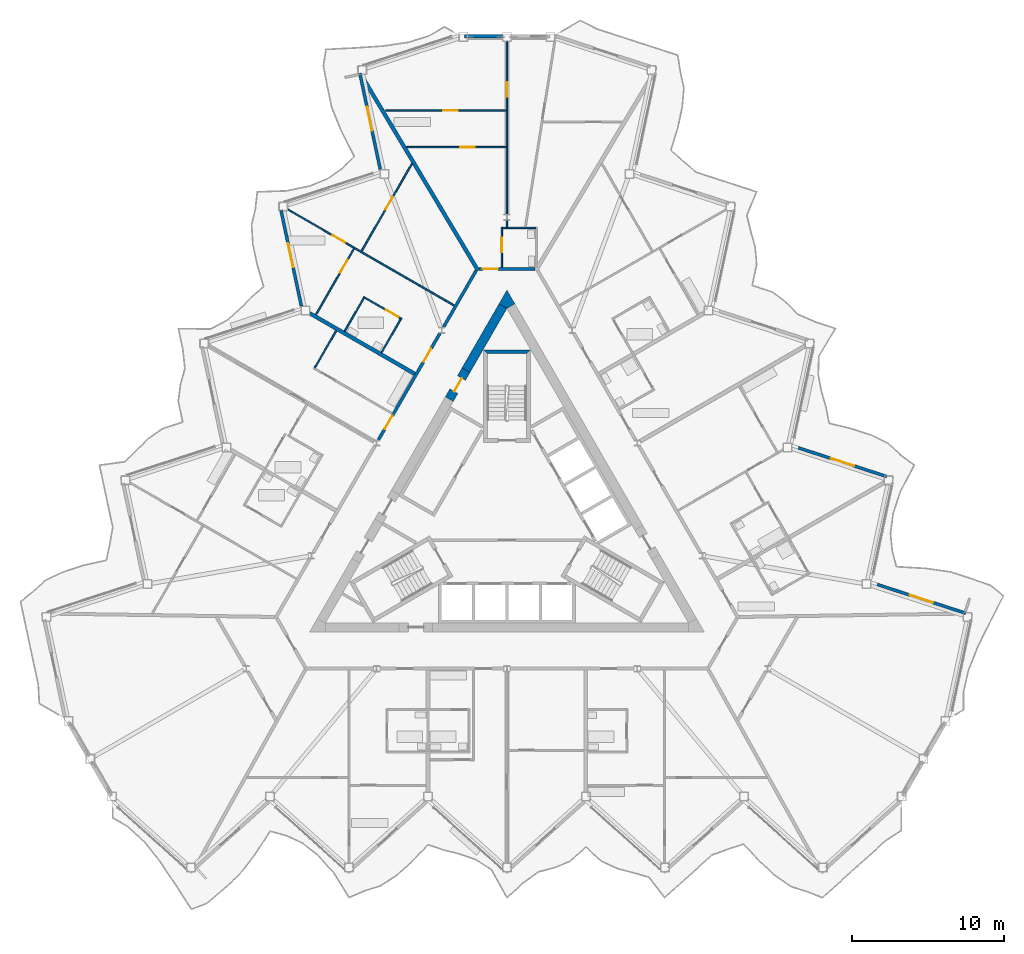
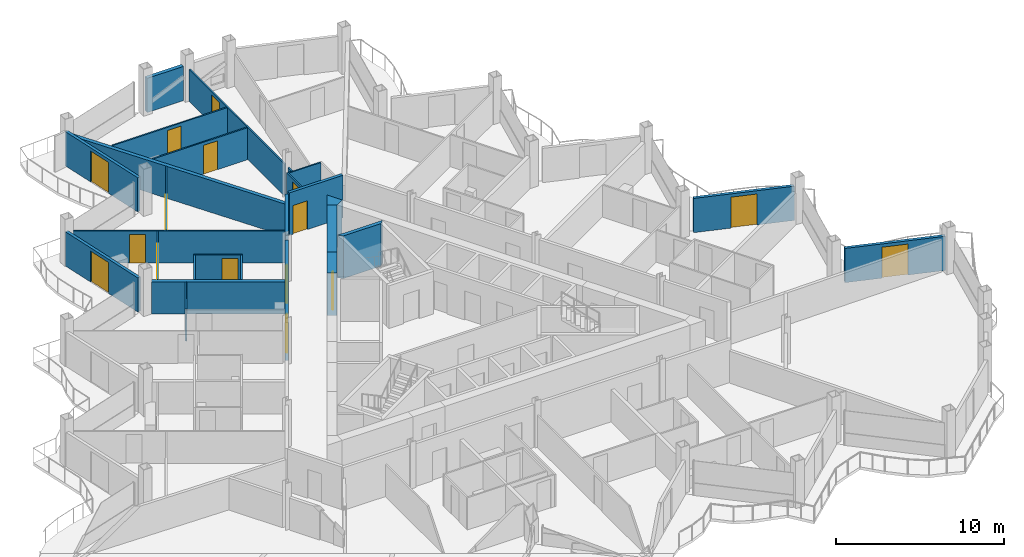
# One storey, part 17 of 26: 27 walls, 16 doors, 16 openings.
"""IFC4 building model written with IfcOpenShell, lengths in metres."""

from ifc_helpers import new_model, si_unit, direction, frame, frame_2d, origin, place, context, subcontext, project, spatial, polyline, rectangle, outline, extrude, material, layer, layer_set, type_object, element, fill, save


model = new_model("IFC4")

# Units and contexts
model_context = context("Model", 3, precision=1e-05, world=origin(), true_north=direction((0.0, 1.0)))
body_context = subcontext(model_context, "Body", "Model", "MODEL_VIEW")
ifc_project = project(units=[si_unit("LENGTHUNIT", "METRE"), si_unit("AREAUNIT", "SQUARE_METRE"), si_unit("VOLUMEUNIT", "CUBIC_METRE"), si_unit("PLANEANGLEUNIT", "RADIAN"), si_unit("MASSUNIT", "GRAM", prefix="KILO")], contexts=[model_context])

# Site, building, storey
site_placement = place(None, origin())
site = spatial("IfcSite", under=ifc_project, at=site_placement, CompositionType="ELEMENT")
building_placement = place(site_placement, origin())
building = spatial("IfcBuilding", under=site, at=building_placement, Name="Cormorant Prow Tower", CompositionType="ELEMENT")
storey_placement = place(building_placement, frame((0.0, 0.0, 329.0)))
storey = spatial("IfcBuildingStorey", under=building, at=storey_placement, Name="L73", CompositionType="ELEMENT", Elevation=329.0)

# Walls
ifc_material_1 = material(Name="Concrete 8000 psi", Category="concrete")
ifc_layer_1 = layer(ifc_material_1, 0.60009765625)
ifc_layer_set_1 = layer_set([ifc_layer_1], Name="Concrete 8000 psi")
wall_type_1 = type_object("IfcWallType", Name="Core shear wall 600", PredefinedType="SHEAR", material=ifc_layer_set_1)
wall_1_placement = place(storey_placement, frame((-0.259765625, 13.961181640625, 0.0), z_axis=(0.0, 0.0, 1.0), x_axis=(-0.50000604952, -0.866021911064, 0.0)))
element("IfcWall", 1, at=wall_1_placement, inside=storey, type_object=wall_type_1, Name="Core wall", PredefinedType="SHEAR", context=body_context, shape_type="SweptSolid", body=[
    extrude(rectangle(XDim=4.86865234375, YDim=0.60009765625, at=frame_2d((2.434326171875, 0.0))), origin(), (0.0, 0.0, 1.0), 3.10009765625),
])
wall_2_placement = place(storey_placement, origin())
element("IfcWall", 2, at=wall_2_placement, inside=storey, type_object=wall_type_1, Name="Core wall corner", PredefinedType="SHEAR", context=body_context, shape_type="SweptSolid", body=[
    extrude(outline(polyline([(-0.51953125, 14.111083984375), (0.0, 15.010986328125), (0.51953125, 14.111083984375), (0.0, 13.81103515625), (-0.51953125, 14.111083984375)])), origin(), (0.0, 0.0, 1.0), 3.10009765625),
])

# Wall, opening, door
wall_3_placement = place(storey_placement, frame((-2.694091796875, 9.744873046875, 0.0), z_axis=(0.0, 0.0, 1.0), x_axis=(-0.50002983664, -0.866008176907, 0.0)))
wall_3 = element("IfcWall", 3, at=wall_3_placement, inside=storey, type_object=wall_type_1, Name="Core wall door panel", PredefinedType="SHEAR", context=body_context, shape_type="SweptSolid", body=[
    extrude(rectangle(XDim=2.199951171875, YDim=0.60009765625, at=frame_2d((1.10009765625, 0.0))), origin(), (0.0, 0.0, 1.0), 3.10009765625),
])
opening_1_placement = place(wall_3_placement, frame((0.60009765625, 0.0, 0.0)))
opening_1 = element("IfcOpeningElement", 4, at=opening_1_placement, cuts=wall_3, Name="Opening L73-C17", PredefinedType="OPENING", context=body_context, shape_type="SweptSolid", body=[
    extrude(rectangle(XDim=1.0, YDim=2.10009765625, at=frame_2d((0.5, 1.050048828125))), frame((0.0, 0.31005859375, 0.0), z_axis=(0.0, -1.0, 0.0), x_axis=(1.0, 0.0, 0.0)), (0.0, 0.0, 1.0), 0.6201171875),
])
ifc_material_2 = material(Name="Painted steel", Category="steel")
door_type_1 = type_object("IfcDoorType", Name="Service door 1000x2100", OperationType="NOTDEFINED", PredefinedType="DOOR", material=ifc_material_2)
door_1_placement = place(opening_1_placement, origin())
door_1 = element("IfcDoor", 5, at=door_1_placement, inside=storey, type_object=door_type_1, Name="Core door, Refuse store", OperationType="SINGLE_SWING_LEFT", OverallHeight=2.10009765625, OverallWidth=1.0, PredefinedType="DOOR", context=body_context, shape_type="SweptSolid", body=[
    extrude(rectangle(XDim=1.0, YDim=2.10009765625, at=frame_2d((0.5, 1.050048828125))), frame((0.0, 0.05517578125, 0.0), z_axis=(0.0, -1.0, 0.0), x_axis=(1.0, 0.0, 0.0)), (0.0, 0.0, 1.0), 0.050048828125),
])
fill(opening_1, door_1)

# Wall, openings, doors
ifc_material_3 = material(Name="Gypsum board corridor wall")
ifc_layer_2 = layer(ifc_material_3, 0.199951171875)
ifc_layer_set_2 = layer_set([ifc_layer_2], Name="Gypsum board corridor wall")
wall_type_2 = type_object("IfcWallType", Name="Corridor wall 200", PredefinedType="PARTITIONING", material=ifc_layer_set_2)
wall_4_placement = place(storey_placement, frame((-8.45849609375, 5.160400390625, 0.0), z_axis=(0.0, 0.0, 1.0), x_axis=(0.499984266882, 0.866034487114, 0.0)))
wall_4 = element("IfcWall", 6, at=wall_4_placement, inside=storey, type_object=wall_type_2, Name="Corridor wall", PredefinedType="PARTITIONING", context=body_context, shape_type="SweptSolid", body=[
    extrude(rectangle(XDim=8.098876953125, YDim=0.199951171875, at=frame_2d((4.04931640625, 0.0))), origin(), (0.0, 0.0, 1.0), 3.10009765625),
])
opening_2_placement = place(wall_4_placement, frame((5.93505859375, 0.0, 0.0)))
opening_2 = element("IfcOpeningElement", 7, at=opening_2_placement, cuts=wall_4, Name="Opening L73-F39", PredefinedType="OPENING", context=body_context, shape_type="SweptSolid", body=[
    extrude(rectangle(XDim=1.0, YDim=2.10009765625, at=frame_2d((0.5, 1.050048828125))), frame((0.0, 0.10986328125, 0.0), z_axis=(0.0, -1.0, 0.0), x_axis=(1.0, 0.0, 0.0)), (0.0, 0.0, 1.0), 0.219970703125),
])
opening_3_placement = place(wall_4_placement, frame((0.829833984375, 0.0, 0.0)))
opening_3 = element("IfcOpeningElement", 8, at=opening_3_placement, cuts=wall_4, Name="Opening L73-F44", PredefinedType="OPENING", context=body_context, shape_type="SweptSolid", body=[
    extrude(rectangle(XDim=1.0, YDim=2.10009765625, at=frame_2d((0.5, 1.050048828125))), frame((0.0, 0.10986328125, 0.0), z_axis=(0.0, -1.0, 0.0), x_axis=(1.0, 0.0, 0.0)), (0.0, 0.0, 1.0), 0.219970703125),
])
ifc_material_4 = material(Name="Timber door leaf", Category="wood")
door_type_2 = type_object("IfcDoorType", Name="Flat or room entrance door 1000x2100", OperationType="NOTDEFINED", PredefinedType="DOOR", material=ifc_material_4)
door_2_placement = place(opening_2_placement, origin())
door_2 = element("IfcDoor", 9, at=door_2_placement, inside=storey, type_object=door_type_2, Name="Living room door", OperationType="SINGLE_SWING_LEFT", OverallHeight=2.10009765625, OverallWidth=1.0, PredefinedType="DOOR", context=body_context, shape_type="SweptSolid", body=[
    extrude(rectangle(XDim=1.0, YDim=2.10009765625, at=frame_2d((0.5, 1.050048828125))), frame((0.0, 0.02490234375, 0.0), z_axis=(0.0, -1.0, 0.0), x_axis=(1.0, 0.0, 0.0)), (0.0, 0.0, 1.0), 0.050048828125),
])
fill(opening_2, door_2)
door_3_placement = place(opening_3_placement, origin())
door_3 = element("IfcDoor", 10, at=door_3_placement, inside=storey, type_object=door_type_2, Name="Living room door", OperationType="SINGLE_SWING_RIGHT", OverallHeight=2.10009765625, OverallWidth=1.0, PredefinedType="DOOR", context=body_context, shape_type="SweptSolid", body=[
    extrude(rectangle(XDim=1.0, YDim=2.10009765625, at=frame_2d((0.5, 1.050048828125))), frame((0.0, 0.02490234375, 0.0), z_axis=(0.0, -1.0, 0.0), x_axis=(1.0, 0.0, 0.0)), (0.0, 0.0, 1.0), 0.050048828125),
])
fill(opening_3, door_3)

# Wall
wall_5_placement = place(storey_placement, frame((-4.169189453125, 12.589599609375, 0.0), z_axis=(0.0, 0.0, 1.0), x_axis=(0.499978750566, 0.866037671803, 0.0)))
element("IfcWall", 11, at=wall_5_placement, inside=storey, type_object=wall_type_2, Name="Corridor wall", PredefinedType="PARTITIONING", context=body_context, shape_type="SweptSolid", body=[
    extrude(rectangle(XDim=4.287841796875, YDim=0.199951171875, at=frame_2d((2.14404296875, 0.0))), origin(), (0.0, 0.0, 1.0), 3.10009765625),
])

# Wall, opening, door
wall_6_placement = place(storey_placement, frame((-1.837890625, 16.4111328125, 0.0), z_axis=(0.0, 0.0, 1.0), x_axis=(1.0, 0.0, 0.0)))
wall_6 = element("IfcWall", 12, at=wall_6_placement, inside=storey, type_object=wall_type_2, Name="Corridor wall", PredefinedType="PARTITIONING", context=body_context, shape_type="SweptSolid", body=[
    extrude(rectangle(XDim=3.67578125, YDim=0.199951171875, at=frame_2d((1.837890625, 0.0))), origin(), (0.0, 0.0, 1.0), 3.10009765625),
])
opening_4_placement = place(wall_6_placement, frame((0.25, 0.0, 0.0)))
opening_4 = element("IfcOpeningElement", 13, at=opening_4_placement, cuts=wall_6, Name="Opening L73-F32", PredefinedType="OPENING", context=body_context, shape_type="SweptSolid", body=[
    extrude(rectangle(XDim=1.0, YDim=2.10009765625, at=frame_2d((0.5, 1.050048828125))), frame((0.0, 0.10986328125, 0.0), z_axis=(0.0, -1.0, 0.0), x_axis=(1.0, 0.0, 0.0)), (0.0, 0.0, 1.0), 0.219970703125),
])
door_4_placement = place(opening_4_placement, origin())
door_4 = element("IfcDoor", 14, at=door_4_placement, inside=storey, type_object=door_type_2, Name="Living room door", OperationType="SINGLE_SWING_RIGHT", OverallHeight=2.10009765625, OverallWidth=1.0, PredefinedType="DOOR", context=body_context, shape_type="SweptSolid", body=[
    extrude(rectangle(XDim=1.0, YDim=2.10009765625, at=frame_2d((0.5, 1.050048828125))), frame((0.0, 0.02490234375, 0.0), z_axis=(0.0, -1.0, 0.0), x_axis=(1.0, 0.0, 0.0)), (0.0, 0.0, 1.0), 0.050048828125),
])
fill(opening_4, door_4)

ifc_material_5 = material(Name="Gypsum board partition")
ifc_layer_3 = layer(ifc_material_5, 0.10009765625)
ifc_layer_set_3 = layer_set([ifc_layer_3], Name="Gypsum board partition")
wall_type_3 = type_object("IfcWallType", Name="Internal partition 100", PredefinedType="PARTITIONING", material=ifc_layer_set_3)
wall_7_placement = place(storey_placement, frame((-14.41650390625, 20.320068359375, 0.0), z_axis=(0.0, 0.0, 1.0), x_axis=(0.866021216079, -0.500007253249, 0.0)))
wall_7 = element("IfcWall", 15, at=wall_7_placement, inside=storey, type_object=wall_type_3, Name="Internal partition", PredefinedType="PARTITIONING", context=body_context, shape_type="SweptSolid", body=[
    extrude(rectangle(XDim=12.639404296875, YDim=0.10009765625, at=frame_2d((6.31982421875, 0.0))), origin(), (0.0, 0.0, 1.0), 2.330078125),
])
opening_5_placement = place(wall_7_placement, frame((3.375, 0.0, 0.0)))
opening_5 = element("IfcOpeningElement", 16, at=opening_5_placement, cuts=wall_7, Name="Opening L73-F42", PredefinedType="OPENING", context=body_context, shape_type="SweptSolid", body=[
    extrude(rectangle(XDim=0.949951171875, YDim=2.10009765625, at=frame_2d((0.47509765625, 1.050048828125))), frame((0.0, 0.06005859375, 0.0), z_axis=(0.0, -1.0, 0.0), x_axis=(1.0, 0.0, 0.0)), (0.0, 0.0, 1.0), 0.1201171875),
])
ifc_material_6 = material(Name="Timber door leaf", Category="wood")
door_type_3 = type_object("IfcDoorType", Name="Bathroom door 950x2100", OperationType="NOTDEFINED", PredefinedType="DOOR", material=ifc_material_6)
door_5_placement = place(opening_5_placement, origin())
door_5 = element("IfcDoor", 17, at=door_5_placement, inside=storey, type_object=door_type_3, Name="Kitchen door", OperationType="SINGLE_SWING_RIGHT", OverallHeight=2.10009765625, OverallWidth=0.949951171875, PredefinedType="DOOR", context=body_context, shape_type="SweptSolid", body=[
    extrude(rectangle(XDim=0.949951171875, YDim=2.10009765625, at=frame_2d((0.47509765625, 1.050048828125))), frame((0.0, 0.02490234375, 0.0), z_axis=(0.0, -1.0, 0.0), x_axis=(1.0, 0.0, 0.0)), (0.0, 0.0, 1.0), 0.050048828125),
])
fill(opening_5, door_5)

wall_8_placement = place(storey_placement, frame((0.0, 20.018798828125, 0.0), z_axis=(0.0, 0.0, 1.0), x_axis=(0.0, 1.0, 0.0)))
wall_8 = element("IfcWall", 18, at=wall_8_placement, inside=storey, type_object=wall_type_3, Name="Internal partition", PredefinedType="PARTITIONING", context=body_context, shape_type="SweptSolid", body=[
    extrude(rectangle(XDim=11.347412109375, YDim=0.10009765625, at=frame_2d((5.673828125, 0.0))), origin(), (0.0, 0.0, 1.0), 2.330078125),
])
opening_6_placement = place(wall_8_placement, frame((7.723388671875, 0.0, 0.0)))
opening_6 = element("IfcOpeningElement", 19, at=opening_6_placement, cuts=wall_8, Name="Opening L73-F36", PredefinedType="OPENING", context=body_context, shape_type="SweptSolid", body=[
    extrude(rectangle(XDim=0.949951171875, YDim=2.10009765625, at=frame_2d((0.47509765625, 1.050048828125))), frame((0.0, 0.06005859375, 0.0), z_axis=(0.0, -1.0, 0.0), x_axis=(1.0, 0.0, 0.0)), (0.0, 0.0, 1.0), 0.1201171875),
])
door_6_placement = place(opening_6_placement, origin())
door_6 = element("IfcDoor", 20, at=door_6_placement, inside=storey, type_object=door_type_3, Name="Dining room door", OperationType="SINGLE_SWING_LEFT", OverallHeight=2.10009765625, OverallWidth=0.949951171875, PredefinedType="DOOR", context=body_context, shape_type="SweptSolid", body=[
    extrude(rectangle(XDim=0.949951171875, YDim=2.10009765625, at=frame_2d((0.47509765625, 1.050048828125))), frame((0.0, 0.02490234375, 0.0), z_axis=(0.0, -1.0, 0.0), x_axis=(1.0, 0.0, 0.0)), (0.0, 0.0, 1.0), 0.050048828125),
])
fill(opening_6, door_6)

wall_9_placement = place(storey_placement, frame((-7.981201171875, 26.8349609375, 0.0), z_axis=(0.0, 0.0, 1.0), x_axis=(1.0, 0.0, 0.0)))
wall_9 = element("IfcWall", 21, at=wall_9_placement, inside=storey, type_object=wall_type_3, Name="Internal partition", PredefinedType="PARTITIONING", context=body_context, shape_type="SweptSolid", body=[
    extrude(rectangle(XDim=7.93115234375, YDim=0.10009765625, at=frame_2d((3.965576171875, 0.0))), origin(), (0.0, 0.0, 1.0), 2.330078125),
])
opening_7_placement = place(wall_9_placement, frame((3.79443359375, 0.0, 0.0)))
opening_7 = element("IfcOpeningElement", 22, at=opening_7_placement, cuts=wall_9, Name="Opening L73-F35", PredefinedType="OPENING", context=body_context, shape_type="SweptSolid", body=[
    extrude(rectangle(XDim=0.949951171875, YDim=2.10009765625, at=frame_2d((0.47509765625, 1.050048828125))), frame((0.0, 0.06005859375, 0.0), z_axis=(0.0, -1.0, 0.0), x_axis=(1.0, 0.0, 0.0)), (0.0, 0.0, 1.0), 0.1201171875),
])
door_7_placement = place(opening_7_placement, origin())
door_7 = element("IfcDoor", 23, at=door_7_placement, inside=storey, type_object=door_type_3, Name="Kitchen door", OperationType="SINGLE_SWING_LEFT", OverallHeight=2.10009765625, OverallWidth=0.949951171875, PredefinedType="DOOR", context=body_context, shape_type="SweptSolid", body=[
    extrude(rectangle(XDim=0.949951171875, YDim=2.10009765625, at=frame_2d((0.47509765625, 1.050048828125))), frame((0.0, 0.02490234375, 0.0), z_axis=(0.0, -1.0, 0.0), x_axis=(1.0, 0.0, 0.0)), (0.0, 0.0, 1.0), 0.050048828125),
])
fill(opening_7, door_7)

wall_10_placement = place(storey_placement, frame((-9.5751953125, 17.582763671875, 0.0), z_axis=(0.0, 0.0, 1.0), x_axis=(0.499998189891, 0.866026448849, 0.0)))
wall_10 = element("IfcWall", 24, at=wall_10_placement, inside=storey, type_object=wall_type_3, Name="Internal partition", PredefinedType="PARTITIONING", context=body_context, shape_type="SweptSolid", body=[
    extrude(rectangle(XDim=6.66796875, YDim=0.10009765625, at=frame_2d((3.333984375, 0.0))), origin(), (0.0, 0.0, 1.0), 2.330078125),
])
opening_8_placement = place(wall_10_placement, frame((3.159912109375, 0.0, 0.0)))
opening_8 = element("IfcOpeningElement", 25, at=opening_8_placement, cuts=wall_10, Name="Opening L73-F43", PredefinedType="OPENING", context=body_context, shape_type="SweptSolid", body=[
    extrude(rectangle(XDim=0.949951171875, YDim=2.10009765625, at=frame_2d((0.47509765625, 1.050048828125))), frame((0.0, 0.06005859375, 0.0), z_axis=(0.0, -1.0, 0.0), x_axis=(1.0, 0.0, 0.0)), (0.0, 0.0, 1.0), 0.1201171875),
])
door_8_placement = place(opening_8_placement, origin())
door_8 = element("IfcDoor", 26, at=door_8_placement, inside=storey, type_object=door_type_3, Name="Bedroom door", OperationType="SINGLE_SWING_LEFT", OverallHeight=2.10009765625, OverallWidth=0.949951171875, PredefinedType="DOOR", context=body_context, shape_type="SweptSolid", body=[
    extrude(rectangle(XDim=0.949951171875, YDim=2.10009765625, at=frame_2d((0.47509765625, 1.050048828125))), frame((0.0, 0.02490234375, 0.0), z_axis=(0.0, -1.0, 0.0), x_axis=(1.0, 0.0, 0.0)), (0.0, 0.0, 1.0), 0.050048828125),
])
fill(opening_8, door_8)

wall_11_placement = place(storey_placement, frame((-6.58984375, 24.425048828125, 0.0), z_axis=(0.0, 0.0, 1.0), x_axis=(1.0, 0.0, 0.0)))
wall_11 = element("IfcWall", 27, at=wall_11_placement, inside=storey, type_object=wall_type_3, Name="Internal partition", PredefinedType="PARTITIONING", context=body_context, shape_type="SweptSolid", body=[
    extrude(rectangle(XDim=6.539794921875, YDim=0.10009765625, at=frame_2d((3.27001953125, 0.0))), origin(), (0.0, 0.0, 1.0), 2.330078125),
])
opening_9_placement = place(wall_11_placement, frame((3.507568359375, 0.0, 0.0)))
opening_9 = element("IfcOpeningElement", 28, at=opening_9_placement, cuts=wall_11, Name="Opening L73-F34", PredefinedType="OPENING", context=body_context, shape_type="SweptSolid", body=[
    extrude(rectangle(XDim=0.949951171875, YDim=2.10009765625, at=frame_2d((0.47509765625, 1.050048828125))), frame((0.0, 0.06005859375, 0.0), z_axis=(0.0, -1.0, 0.0), x_axis=(1.0, 0.0, 0.0)), (0.0, 0.0, 1.0), 0.1201171875),
])
door_9_placement = place(opening_9_placement, origin())
door_9 = element("IfcDoor", 29, at=door_9_placement, inside=storey, type_object=door_type_3, Name="Living room door", OperationType="SINGLE_SWING_LEFT", OverallHeight=2.10009765625, OverallWidth=0.949951171875, PredefinedType="DOOR", context=body_context, shape_type="SweptSolid", body=[
    extrude(rectangle(XDim=0.949951171875, YDim=2.10009765625, at=frame_2d((0.47509765625, 1.050048828125))), frame((0.0, 0.02490234375, 0.0), z_axis=(0.0, -1.0, 0.0), x_axis=(1.0, 0.0, 0.0)), (0.0, 0.0, 1.0), 0.050048828125),
])
fill(opening_9, door_9)

wall_12_placement = place(storey_placement, frame((-12.574951171875, 13.40283203125, 0.0), z_axis=(0.0, 0.0, 1.0), x_axis=(0.499989096993, 0.866031698547, 0.0)))
wall_12 = element("IfcWall", 30, at=wall_12_placement, inside=storey, type_object=wall_type_3, Name="Internal partition", PredefinedType="PARTITIONING", context=body_context, shape_type="SweptSolid", body=[
    extrude(rectangle(XDim=5.01953125, YDim=0.10009765625, at=frame_2d((2.509765625, 0.0))), origin(), (0.0, 0.0, 1.0), 2.330078125),
])
opening_10_placement = place(wall_12_placement, frame((3.207763671875, 0.0, 0.0)))
opening_10 = element("IfcOpeningElement", 31, at=opening_10_placement, cuts=wall_12, Name="Opening L73-F41", PredefinedType="OPENING", context=body_context, shape_type="SweptSolid", body=[
    extrude(rectangle(XDim=0.949951171875, YDim=2.10009765625, at=frame_2d((0.47509765625, 1.050048828125))), frame((0.0, 0.06005859375, 0.0), z_axis=(0.0, -1.0, 0.0), x_axis=(1.0, 0.0, 0.0)), (0.0, 0.0, 1.0), 0.1201171875),
])
door_10_placement = place(opening_10_placement, origin())
door_10 = element("IfcDoor", 32, at=door_10_placement, inside=storey, type_object=door_type_3, Name="Living room door", OperationType="SINGLE_SWING_RIGHT", OverallHeight=2.10009765625, OverallWidth=0.949951171875, PredefinedType="DOOR", context=body_context, shape_type="SweptSolid", body=[
    extrude(rectangle(XDim=0.949951171875, YDim=2.10009765625, at=frame_2d((0.47509765625, 1.050048828125))), frame((0.0, 0.02490234375, 0.0), z_axis=(0.0, -1.0, 0.0), x_axis=(1.0, 0.0, 0.0)), (0.0, 0.0, 1.0), 0.050048828125),
])
fill(opening_10, door_10)

# Wall
wall_13_placement = place(storey_placement, frame((-12.65234375, 9.896728515625, 0.0), z_axis=(0.0, 0.0, 1.0), x_axis=(0.500024172624, 0.866011447264, 0.0)))
element("IfcWall", 33, at=wall_13_placement, inside=storey, type_object=wall_type_3, Name="Internal partition", PredefinedType="PARTITIONING", context=body_context, shape_type="SweptSolid", body=[
    extrude(rectangle(XDim=2.824951171875, YDim=0.10009765625, at=frame_2d((1.41259765625, 0.0))), origin(), (0.0, 0.0, 1.0), 2.330078125),
])

# Wall, opening, door
wall_14_placement = place(storey_placement, frame((-9.4375, 14.564697265625, 0.0), z_axis=(0.0, 0.0, 1.0), x_axis=(0.866032775405, -0.499987231761, 0.0)))
wall_14 = element("IfcWall", 34, at=wall_14_placement, inside=storey, type_object=wall_type_3, Name="Internal partition", PredefinedType="PARTITIONING", context=body_context, shape_type="SweptSolid", body=[
    extrude(rectangle(XDim=2.89990234375, YDim=0.10009765625, at=frame_2d((1.449951171875, 0.0))), origin(), (0.0, 0.0, 1.0), 2.330078125),
])
opening_11_placement = place(wall_14_placement, frame((1.699951171875, 0.0, 0.0)))
opening_11 = element("IfcOpeningElement", 35, at=opening_11_placement, cuts=wall_14, Name="Opening L73-F40", PredefinedType="OPENING", context=body_context, shape_type="SweptSolid", body=[
    extrude(rectangle(XDim=0.949951171875, YDim=2.10009765625, at=frame_2d((0.47509765625, 1.050048828125))), frame((0.0, 0.06005859375, 0.0), z_axis=(0.0, -1.0, 0.0), x_axis=(1.0, 0.0, 0.0)), (0.0, 0.0, 1.0), 0.1201171875),
])
door_11_placement = place(opening_11_placement, origin())
door_11 = element("IfcDoor", 36, at=door_11_placement, inside=storey, type_object=door_type_3, Name="Living room door", OperationType="SINGLE_SWING_RIGHT", OverallHeight=2.10009765625, OverallWidth=0.949951171875, PredefinedType="DOOR", context=body_context, shape_type="SweptSolid", body=[
    extrude(rectangle(XDim=0.949951171875, YDim=2.10009765625, at=frame_2d((0.47509765625, 1.050048828125))), frame((0.0, 0.02490234375, 0.0), z_axis=(0.0, -1.0, 0.0), x_axis=(1.0, 0.0, 0.0)), (0.0, 0.0, 1.0), 0.050048828125),
])
fill(opening_11, door_11)

wall_15_placement = place(storey_placement, frame((-0.3369140625, 16.510986328125, 0.0), z_axis=(0.0, 0.0, 1.0), x_axis=(0.0, 1.0, 0.0)))
wall_15 = element("IfcWall", 37, at=wall_15_placement, inside=storey, type_object=wall_type_3, Name="Internal partition", PredefinedType="PARTITIONING", context=body_context, shape_type="SweptSolid", body=[
    extrude(rectangle(XDim=2.650146484375, YDim=0.10009765625, at=frame_2d((1.3251953125, 0.0))), origin(), (0.0, 0.0, 1.0), 2.330078125),
])
opening_12_placement = place(wall_15_placement, frame((1.013671875, 0.0, 0.0)))
opening_12 = element("IfcOpeningElement", 38, at=opening_12_placement, cuts=wall_15, Name="Opening L73-F33", PredefinedType="OPENING", context=body_context, shape_type="SweptSolid", body=[
    extrude(rectangle(XDim=0.949951171875, YDim=2.10009765625, at=frame_2d((0.47509765625, 1.050048828125))), frame((0.0, 0.06005859375, 0.0), z_axis=(0.0, -1.0, 0.0), x_axis=(1.0, 0.0, 0.0)), (0.0, 0.0, 1.0), 0.1201171875),
])
door_12_placement = place(opening_12_placement, origin())
door_12 = element("IfcDoor", 39, at=door_12_placement, inside=storey, type_object=door_type_3, Name="Living room door", OperationType="SINGLE_SWING_RIGHT", OverallHeight=2.10009765625, OverallWidth=0.949951171875, PredefinedType="DOOR", context=body_context, shape_type="SweptSolid", body=[
    extrude(rectangle(XDim=0.949951171875, YDim=2.10009765625, at=frame_2d((0.47509765625, 1.050048828125))), frame((0.0, 0.02490234375, 0.0), z_axis=(0.0, -1.0, 0.0), x_axis=(1.0, 0.0, 0.0)), (0.0, 0.0, 1.0), 0.050048828125),
])
fill(opening_12, door_12)

# Walls
for number, where, z_axis, x_axis, name in (
    (40, (-10.681640625, 12.309814453125, 0.0), (0.0, 0.0, 1.0), (0.499976333282, 0.866039067339, 0.0), "Internal partition"),
    (41, (-8.2568359375, 10.909912109375, 0.0), (0.0, 0.0, 1.0), (0.50001820224, 0.866014894461, 0.0), "Internal partition"),
):
    element("IfcWall", number, at=place(storey_placement, frame(where, z_axis=z_axis, x_axis=x_axis)), inside=storey, type_object=wall_type_3, Name=name, PredefinedType="PARTITIONING", context=body_context, shape_type="SweptSolid", body=[
        extrude(rectangle(XDim=2.52490234375, YDim=0.10009765625, at=frame_2d((1.262451171875, 0.0))), origin(), (0.0, 0.0, 1.0), 2.330078125),
    ])
wall_16_placement = place(storey_placement, frame((-0.287109375, 19.111083984375, 0.0), z_axis=(0.0, 0.0, 1.0), x_axis=(1.0, 0.0, 0.0)))
element("IfcWall", 42, at=wall_16_placement, inside=storey, type_object=wall_type_3, Name="Internal partition", PredefinedType="PARTITIONING", context=body_context, shape_type="SweptSolid", body=[
    extrude(rectangle(XDim=2.2001953125, YDim=0.10009765625, at=frame_2d((1.10009765625, 0.0))), origin(), (0.0, 0.0, 1.0), 2.330078125),
])
wall_17_placement = place(storey_placement, frame((0.0, 19.1611328125, 0.0), z_axis=(0.0, 0.0, 1.0), x_axis=(0.0, 1.0, 0.0)))
element("IfcWall", 43, at=wall_17_placement, inside=storey, type_object=wall_type_3, Name="Internal partition", PredefinedType="PARTITIONING", context=body_context, shape_type="SweptSolid", body=[
    extrude(rectangle(XDim=0.4423828125, YDim=0.10009765625, at=frame_2d((0.22119140625, 0.0))), origin(), (0.0, 0.0, 1.0), 2.330078125),
])
ifc_material_7 = material(Name="Concrete 8000 psi", Category="concrete")
ifc_layer_4 = layer(ifc_material_7, 0.25)
ifc_layer_set_4 = layer_set([ifc_layer_4], Name="Concrete 8000 psi")
wall_type_4 = type_object("IfcWallType", Name="Stair wall 250", PredefinedType="SHEAR", material=ifc_layer_set_4)
wall_18_placement = place(storey_placement, origin())
element("IfcWall", 44, at=wall_18_placement, inside=storey, type_object=wall_type_4, Name="Stair ST3 enclosure wall (end)", PredefinedType="SHEAR", context=body_context, shape_type="SweptSolid", body=[
    extrude(outline(polyline([(1.5439453125, 11.0869140625), (-1.5439453125, 11.0869140625), (-1.2939453125, 10.8369140625), (1.2939453125, 10.8369140625), (1.5439453125, 11.0869140625)])), origin(), (0.0, 0.0, 1.0), 3.10009765625),
])
ifc_material_8 = material(Name="Acoustic gypsum party wall")
ifc_layer_5 = layer(ifc_material_8, 0.25)
ifc_layer_set_5 = layer_set([ifc_layer_5], Name="Acoustic gypsum party wall")
wall_type_5 = type_object("IfcWallType", Name="Suite party wall 250", PredefinedType="PARTITIONING", material=ifc_layer_set_5)
wall_19_placement = place(storey_placement, frame((-9.493408203125, 29.012451171875, 0.0), z_axis=(0.0, 0.0, 1.0), x_axis=(0.512967150926, -0.85840823742, 0.0)))
element("IfcWall", 45, at=wall_19_placement, inside=storey, type_object=wall_type_5, Name="Suite party wall", PredefinedType="PARTITIONING", context=body_context, shape_type="SweptSolid", body=[
    extrude(rectangle(XDim=14.804931640625, YDim=0.25, at=frame_2d((7.40234375, 0.0))), origin(), (0.0, 0.0, 1.0), 2.330078125),
])
wall_20_placement = place(storey_placement, frame((-12.9619140625, 13.48193359375, 0.0), z_axis=(0.0, 0.0, 1.0), x_axis=(0.866022671543, -0.50000473235, 0.0)))
element("IfcWall", 46, at=wall_20_placement, inside=storey, type_object=wall_type_5, Name="Suite party wall", PredefinedType="PARTITIONING", context=body_context, shape_type="SweptSolid", body=[
    extrude(rectangle(XDim=7.9609375, YDim=0.25, at=frame_2d((3.98046875, 0.0))), origin(), (0.0, 0.0, 1.0), 2.330078125),
])
ifc_material_9 = material(Name="Terracotta", Category="masonry")
ifc_layer_6 = layer(ifc_material_9, 0.25)
ifc_layer_set_6 = layer_set([ifc_layer_6], Name="Terracotta")
wall_type_6 = type_object("IfcWallType", Name="Terracotta bay wall 250", PredefinedType="SOLIDWALL", material=ifc_layer_set_6)
wall_21_placement = place(storey_placement, frame((-0.300048828125, 31.727783203125, 0.0), z_axis=(0.0, 0.0, 1.0), x_axis=(-1.0, 0.0, 0.0)))
element("IfcWall", 47, at=wall_21_placement, inside=storey, type_object=wall_type_6, Name="Terracotta bay wall N01", PredefinedType="SOLIDWALL", context=body_context, shape_type="SweptSolid", body=[
    extrude(rectangle(XDim=2.489501953125, YDim=0.25, at=frame_2d((1.24462890625, 0.0))), origin(), (0.0, 0.0, 1.0), 2.48779296875),
])

# Wall, opening, door
ifc_material_10 = material(Name="Terracotta", Category="masonry")
ifc_layer_7 = layer(ifc_material_10, 0.199951171875)
ifc_layer_set_7 = layer_set([ifc_layer_7], Name="Terracotta")
wall_type_7 = type_object("IfcWallType", Name="Terracotta jamb wall 200", PredefinedType="SOLIDWALL", material=ifc_layer_set_7)
wall_22_placement = place(storey_placement, frame((30.206787109375, -6.25830078125, 0.0), z_axis=(0.0, 0.0, 1.0), x_axis=(-0.951056631566, 0.309016639608, 0.0)))
wall_22 = element("IfcWall", 48, at=wall_22_placement, inside=storey, type_object=wall_type_7, Name="Terracotta jamb wall ENE01", PredefinedType="SOLIDWALL", context=body_context, shape_type="SweptSolid", body=[
    extrude(rectangle(XDim=6.1220703125, YDim=0.199951171875, at=frame_2d((3.06103515625, 0.0))), origin(), (0.0, 0.0, 1.0), 2.48779296875),
])
opening_13_placement = place(wall_22_placement, frame((2.260986328125, 0.0, 0.0)))
opening_13 = element("IfcOpeningElement", 49, at=opening_13_placement, cuts=wall_22, Name="Opening ED73.06", PredefinedType="OPENING", context=body_context, shape_type="SweptSolid", body=[
    extrude(rectangle(XDim=1.60009765625, YDim=2.25, at=frame_2d((0.800048828125, 1.125))), frame((0.0, 0.10986328125, 0.0), z_axis=(0.0, -1.0, 0.0), x_axis=(1.0, 0.0, 0.0)), (0.0, 0.0, 1.0), 0.219970703125),
])
ifc_material_11 = material(Name="Aluminium 6063-T6", Category="aluminium")
door_type_4 = type_object("IfcDoorType", Name="Balcony door 1600x2250", OperationType="DOUBLE_DOOR_SINGLE_SWING", PredefinedType="DOOR", material=ifc_material_11)
door_13_placement = place(opening_13_placement, origin())
door_13 = element("IfcDoor", 50, at=door_13_placement, inside=storey, type_object=door_type_4, Name="Balcony door ENE01 ED73.06", OperationType="DOUBLE_DOOR_SINGLE_SWING", OverallHeight=2.25, OverallWidth=1.60009765625, PredefinedType="DOOR", context=body_context, shape_type="SweptSolid", body=[
    extrude(rectangle(XDim=1.60009765625, YDim=2.25, at=frame_2d((0.800048828125, 1.125))), frame((0.0, 0.02490234375, 0.0), z_axis=(0.0, -1.0, 0.0), x_axis=(1.0, 0.0, 0.0)), (0.0, 0.0, 1.0), 0.050048828125),
])
fill(opening_13, door_13)

wall_23_placement = place(storey_placement, frame((25.01220703125, 2.7392578125, 0.0), z_axis=(0.0, 0.0, 1.0), x_axis=(-0.951056631566, 0.309016639608, 0.0)))
wall_23 = element("IfcWall", 51, at=wall_23_placement, inside=storey, type_object=wall_type_7, Name="Terracotta jamb wall ENE03", PredefinedType="SOLIDWALL", context=body_context, shape_type="SweptSolid", body=[
    extrude(rectangle(XDim=6.1220703125, YDim=0.199951171875, at=frame_2d((3.06103515625, 0.0))), origin(), (0.0, 0.0, 1.0), 2.48779296875),
])
opening_14_placement = place(wall_23_placement, frame((2.260986328125, 0.0, 0.0)))
opening_14 = element("IfcOpeningElement", 52, at=opening_14_placement, cuts=wall_23, Name="Opening ED73.07", PredefinedType="OPENING", context=body_context, shape_type="SweptSolid", body=[
    extrude(rectangle(XDim=1.60009765625, YDim=2.25, at=frame_2d((0.800048828125, 1.125))), frame((0.0, 0.10986328125, 0.0), z_axis=(0.0, -1.0, 0.0), x_axis=(1.0, 0.0, 0.0)), (0.0, 0.0, 1.0), 0.219970703125),
])
door_14_placement = place(opening_14_placement, origin())
door_14 = element("IfcDoor", 53, at=door_14_placement, inside=storey, type_object=door_type_4, Name="Balcony door ENE03 ED73.07", OperationType="DOUBLE_DOOR_SINGLE_SWING", OverallHeight=2.25, OverallWidth=1.60009765625, PredefinedType="DOOR", context=body_context, shape_type="SweptSolid", body=[
    extrude(rectangle(XDim=1.60009765625, YDim=2.25, at=frame_2d((0.800048828125, 1.125))), frame((0.0, 0.02490234375, 0.0), z_axis=(0.0, -1.0, 0.0), x_axis=(1.0, 0.0, 0.0)), (0.0, 0.0, 1.0), 0.050048828125),
])
fill(opening_14, door_14)

wall_24_placement = place(storey_placement, frame((-9.68359375, 29.2890625, 0.0), z_axis=(0.0, 0.0, 1.0), x_axis=(0.207920686021, -0.978145688701, 0.0)))
wall_24 = element("IfcWall", 54, at=wall_24_placement, inside=storey, type_object=wall_type_7, Name="Terracotta jamb wall WNW01", PredefinedType="SOLIDWALL", context=body_context, shape_type="SweptSolid", body=[
    extrude(rectangle(XDim=6.459228515625, YDim=0.199951171875, at=frame_2d((3.2294921875, 0.0))), origin(), (0.0, 0.0, 1.0), 2.48779296875),
])
opening_15_placement = place(wall_24_placement, frame((2.260986328125, 0.0, 0.0)))
opening_15 = element("IfcOpeningElement", 55, at=opening_15_placement, cuts=wall_24, Name="Opening ED73.11", PredefinedType="OPENING", context=body_context, shape_type="SweptSolid", body=[
    extrude(rectangle(XDim=1.60009765625, YDim=2.25, at=frame_2d((0.800048828125, 1.125))), frame((0.0, 0.10986328125, 0.0), z_axis=(0.0, -1.0, 0.0), x_axis=(1.0, 0.0, 0.0)), (0.0, 0.0, 1.0), 0.219970703125),
])
door_15_placement = place(opening_15_placement, origin())
door_15 = element("IfcDoor", 56, at=door_15_placement, inside=storey, type_object=door_type_4, Name="Balcony door WNW01 ED73.11", OperationType="DOUBLE_DOOR_SINGLE_SWING", OverallHeight=2.25, OverallWidth=1.60009765625, PredefinedType="DOOR", context=body_context, shape_type="SweptSolid", body=[
    extrude(rectangle(XDim=1.60009765625, YDim=2.25, at=frame_2d((0.800048828125, 1.125))), frame((0.0, 0.02490234375, 0.0), z_axis=(0.0, -1.0, 0.0), x_axis=(1.0, 0.0, 0.0)), (0.0, 0.0, 1.0), 0.050048828125),
])
fill(opening_15, door_15)

wall_25_placement = place(storey_placement, frame((-14.87841796875, 20.29150390625, 0.0), z_axis=(0.0, 0.0, 1.0), x_axis=(0.207943189785, -0.978140904892, 0.0)))
wall_25 = element("IfcWall", 57, at=wall_25_placement, inside=storey, type_object=wall_type_7, Name="Terracotta jamb wall WNW03", PredefinedType="SOLIDWALL", context=body_context, shape_type="SweptSolid", body=[
    extrude(rectangle(XDim=6.466796875, YDim=0.199951171875, at=frame_2d((3.2333984375, 0.0))), origin(), (0.0, 0.0, 1.0), 2.48779296875),
])
opening_16_placement = place(wall_25_placement, frame((2.260986328125, 0.0, 0.0)))
opening_16 = element("IfcOpeningElement", 58, at=opening_16_placement, cuts=wall_25, Name="Opening ED73.12", PredefinedType="OPENING", context=body_context, shape_type="SweptSolid", body=[
    extrude(rectangle(XDim=1.60009765625, YDim=2.25, at=frame_2d((0.800048828125, 1.125))), frame((0.0, 0.10986328125, 0.0), z_axis=(0.0, -1.0, 0.0), x_axis=(1.0, 0.0, 0.0)), (0.0, 0.0, 1.0), 0.219970703125),
])
door_16_placement = place(opening_16_placement, origin())
door_16 = element("IfcDoor", 59, at=door_16_placement, inside=storey, type_object=door_type_4, Name="Balcony door WNW03 ED73.12", OperationType="DOUBLE_DOOR_SINGLE_SWING", OverallHeight=2.25, OverallWidth=1.60009765625, PredefinedType="DOOR", context=body_context, shape_type="SweptSolid", body=[
    extrude(rectangle(XDim=1.60009765625, YDim=2.25, at=frame_2d((0.800048828125, 1.125))), frame((0.0, 0.02490234375, 0.0), z_axis=(0.0, -1.0, 0.0), x_axis=(1.0, 0.0, 0.0)), (0.0, 0.0, 1.0), 0.050048828125),
])
fill(opening_16, door_16)

save(model, "model.ifc")
